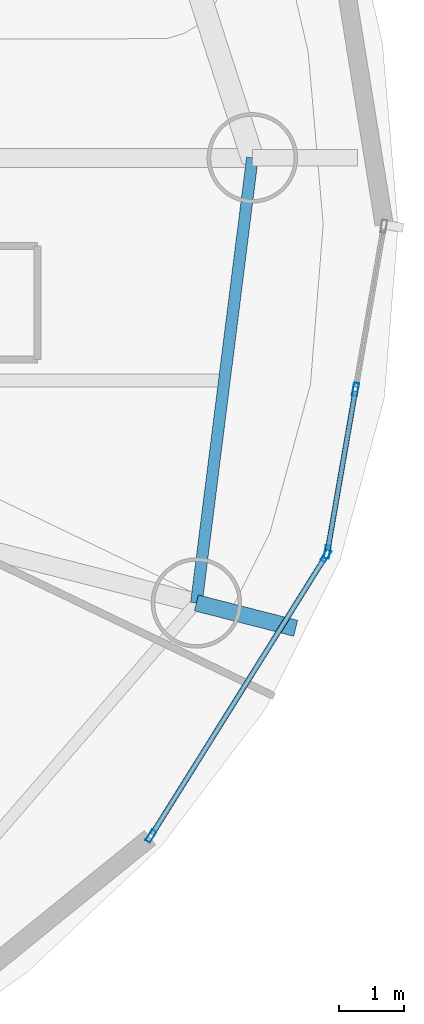
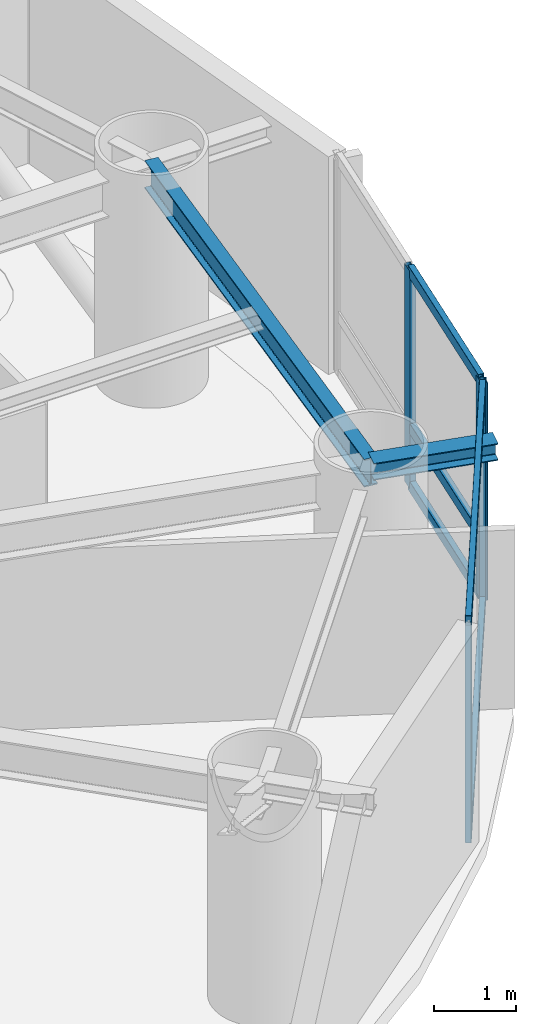
# One storey, part 7 of 22: 9 members, 2 beams, 2 elements without a shape of their own.
"""IFC4 building model written with IfcOpenShell, lengths in metres."""

import ifcopenshell
import ifcopenshell.guid

model = None  # the IFC model being written
_history = None  # IfcOwnerHistory: only IFC2X3 demands one
_inside = {}  # id of a spatial element -> (the spatial element, [elements in it])
_under = {}  # id of a project, library or spatial element -> (it, [spatial elements below it])
_declared = {}  # id of a project -> (the project, [libraries it declares])
_typed = {}  # id of a type object -> (the type object, [elements of that type])
_made_of = {}  # id of a material, layer set ... -> (it, [elements and type objects made of it])


def new_model(schema):
    """Start an empty IFC model of exactly this schema.

    Asked for "IFC4X3", IfcOpenShell would pick the latest addendum, in which some entities
    have other attributes; the version numbers below select the first issue.
    IFC2X3 requires an IfcOwnerHistory on every rooted entity: one is made here for all.
    """
    global model, _history
    if schema == "IFC4X3":
        model = ifcopenshell.file(schema_version=(4, 3, 0, 0))
    else:
        model = ifcopenshell.file(schema=schema)
    _inside.clear()
    _under.clear()
    _declared.clear()
    _typed.clear()
    _made_of.clear()
    _history = None
    if model.schema == "IFC2X3":
        org = make("IfcOrganization", Name="unknown")
        user = make(
            "IfcPersonAndOrganization",
            ThePerson=make("IfcPerson", FamilyName="unknown"),
            TheOrganization=org,
        )
        app = make(
            "IfcApplication",
            ApplicationDeveloper=org,
            Version="unknown",
            ApplicationFullName="unknown",
            ApplicationIdentifier="unknown",
        )
        _history = make(
            "IfcOwnerHistory",
            OwningUser=user,
            OwningApplication=app,
            ChangeAction="ADDED",
            CreationDate=0,
        )
    return model


def make(cls, **values):
    """One entity of the class cls with the attributes given. An attribute that is None is left unset."""
    return model.create_entity(
        cls, **{name: value for name, value in values.items() if value is not None}
    )


def rooted(cls, **values):
    """An entity with a GlobalId (a new one), such as an element, a storey or a relation."""
    return make(cls, GlobalId=ifcopenshell.guid.new(), OwnerHistory=_history, **values)


def si_unit(unit_type, name, prefix=None):
    """IfcSIUnit, for example si_unit("LENGTHUNIT", "METRE", prefix="MILLI")."""
    return make("IfcSIUnit", UnitType=unit_type, Prefix=prefix, Name=name)


def assignment(units):
    """IfcUnitAssignment: the units of a project."""
    return None if units is None else make("IfcUnitAssignment", Units=units)


def point(xyz):
    """IfcCartesianPoint."""
    return None if xyz is None else make("IfcCartesianPoint", Coordinates=xyz)


def direction(xyz):
    """IfcDirection."""
    return None if xyz is None else make("IfcDirection", DirectionRatios=xyz)


def frame(location, z_axis=None, x_axis=None):
    """IfcAxis2Placement3D, a coordinate frame: its origin and axes. An axis left out is left unset."""
    return make(
        "IfcAxis2Placement3D",
        Location=point(location),
        Axis=direction(z_axis),
        RefDirection=direction(x_axis),
    )


def frame_2d(location, x_axis=None):
    """IfcAxis2Placement2D, a coordinate frame in the plane: its origin and x axis."""
    return make(
        "IfcAxis2Placement2D", Location=point(location), RefDirection=direction(x_axis)
    )


def origin():
    """The frame at (0, 0, 0) with its axes left unset."""
    return frame((0.0, 0.0, 0.0))


def origin_2d():
    """The frame at (0, 0) in the plane with its x axis left unset."""
    return frame_2d((0.0, 0.0))


def place(relative_to, where):
    """IfcLocalPlacement: puts the frame where relative to a parent placement (None: the world)."""
    return make(
        "IfcLocalPlacement", PlacementRelTo=relative_to, RelativePlacement=where
    )


def context(
    kind, dimensions, precision=None, world=None, true_north=None, identifier=None
):
    """IfcGeometricRepresentationContext, for example the 3D "Model" context."""
    return make(
        "IfcGeometricRepresentationContext",
        ContextIdentifier=identifier,
        ContextType=kind,
        CoordinateSpaceDimension=dimensions,
        Precision=precision,
        WorldCoordinateSystem=world,
        TrueNorth=true_north,
    )


def subcontext(parent, identifier, kind, view, scale=None):
    """IfcGeometricRepresentationSubContext, for example "Body" below "Model"."""
    return make(
        "IfcGeometricRepresentationSubContext",
        ContextIdentifier=identifier,
        ContextType=kind,
        ParentContext=parent,
        TargetScale=scale,
        TargetView=view,
    )


def project(units=None, contexts=None):
    """IfcProject with its units and contexts."""
    return rooted(
        "IfcProject",
        Name="project",
        RepresentationContexts=contexts,
        UnitsInContext=assignment(units),
    )


def spatial(cls, under=None, at=None, **own):
    """A site, building, storey or space (cls), placed at a placement, below another one or the project."""
    s = rooted(cls, ObjectPlacement=at, **own)
    if under is not None:
        _under.setdefault(under.id(), (under, []))[1].append(s)
    return s


def profile(cls, at=None, kind="AREA", **sizes):
    """A parametric profile (cls). Its sizes go by their IFC names, for example OverallWidth=200.0."""
    return make(cls, ProfileType=kind, Position=at, **sizes)


def hollow_rectangle(**sizes):
    """IfcRectangleHollowProfileDef."""
    return profile("IfcRectangleHollowProfileDef", **sizes)


def i_section(**sizes):
    """IfcIShapeProfileDef."""
    return profile("IfcIShapeProfileDef", **sizes)


def extrude(swept, where, along, depth):
    """IfcExtrudedAreaSolid: the profile swept, set in the frame where, extruded along a direction by depth."""
    return make(
        "IfcExtrudedAreaSolid",
        SweptArea=swept,
        Position=where,
        ExtrudedDirection=direction(along),
        Depth=depth,
    )


def shape(context_of_items, identifier, shape_type, items):
    """IfcShapeRepresentation: the items that make up one representation, for example the "Body"."""
    return make(
        "IfcShapeRepresentation",
        ContextOfItems=context_of_items,
        RepresentationIdentifier=identifier,
        RepresentationType=shape_type,
        Items=items,
    )


def material(Name=None, Category=None):
    """IfcMaterial."""
    return make("IfcMaterial", Name=Name, Category=Category)


def layer(
    of_material, thickness, ventilated=None, Name=None, Category=None, Priority=None
):
    """IfcMaterialLayer: one layer of a wall or slab, of a material (None: an air gap)."""
    return make(
        "IfcMaterialLayer",
        Material=of_material,
        LayerThickness=thickness,
        IsVentilated=ventilated,
        Name=Name,
        Category=Category,
        Priority=Priority,
    )


def layer_set(layers, Name=None):
    """IfcMaterialLayerSet."""
    return make("IfcMaterialLayerSet", MaterialLayers=layers, LayerSetName=Name)


def material_profile(
    of_material, cross_section, Name=None, Category=None, Priority=None
):
    """IfcMaterialProfile: a cross section and its material."""
    return make(
        "IfcMaterialProfile",
        Name=Name,
        Material=of_material,
        Profile=cross_section,
        Priority=Priority,
        Category=Category,
    )


def profile_set(profiles, Name=None, composite=None):
    """IfcMaterialProfileSet."""
    return make(
        "IfcMaterialProfileSet",
        Name=Name,
        MaterialProfiles=profiles,
        CompositeProfile=composite,
    )


def made_of(thing, what):
    """Note that an element or type object is made of a material, layer set ...; save() writes the relation."""
    if what is not None:
        _made_of.setdefault(what.id(), (what, []))[1].append(thing)
    return thing


def type_object(cls, material=None, **own):
    """A type object (cls), such as IfcWallType, which elements share."""
    return made_of(rooted(cls, **own), material)


def element(
    cls,
    number,
    at=None,
    inside=None,
    cuts=None,
    type_object=None,
    material=None,
    context=None,
    identifier="Body",
    shape_type=None,
    held_by="IfcProductDefinitionShape",
    body=None,
    shapes=None,
    **own,
):
    """One element of the class cls, such as IfcWall. Its Tag is "e" and its number.

    at: its placement. inside: the storey or other place that contains it. cuts: it is an
    opening in that element (IfcRelVoidsElement). A single representation is given by context,
    identifier, shape_type and body (its items); several are given by shapes. held_by: the class
    of the entity that holds the representations. save() writes the other relations.
    """
    e = rooted(cls, Tag="e%d" % number, ObjectPlacement=at, **own)
    if body is not None:
        shapes = [shape(context, identifier, shape_type, body)]
    if shapes is not None:
        e.Representation = make(held_by, Representations=shapes)
    if inside is not None:
        _inside.setdefault(inside.id(), (inside, []))[1].append(e)
    if cuts is not None:
        rooted(
            "IfcRelVoidsElement", RelatingBuildingElement=cuts, RelatedOpeningElement=e
        )
    if type_object is not None:
        _typed.setdefault(type_object.id(), (type_object, []))[1].append(e)
    return made_of(e, material)


def aggregate(whole, parts):
    """IfcRelAggregates: a whole, such as a stair, and the parts it consists of."""
    return rooted("IfcRelAggregates", RelatingObject=whole, RelatedObjects=parts)


def save(model, path):
    """Write the relations noted so far, then the file.

    IfcRelAggregates (storeys below a building ...), IfcRelContainedInSpatialStructure (elements
    in a storey), IfcRelDefinesByType, IfcRelAssociatesMaterial and IfcRelDeclares: one each for
    every whole, place, type object, material and project.
    """
    for whole, parts in _under.values():
        aggregate(whole, parts)
    for where, things in _inside.values():
        rooted(
            "IfcRelContainedInSpatialStructure",
            RelatedElements=things,
            RelatingStructure=where,
        )
    for kind, things in _typed.values():
        rooted("IfcRelDefinesByType", RelatedObjects=things, RelatingType=kind)
    for what, things in _made_of.values():
        rooted("IfcRelAssociatesMaterial", RelatedObjects=things, RelatingMaterial=what)
    for by, libraries in _declared.values():
        rooted("IfcRelDeclares", RelatingContext=by, RelatedDefinitions=libraries)
    model.write(path)


model = new_model("IFC4")

# Units and contexts
model_context = context("Model", 3, precision=1e-05, world=origin(), true_north=direction((0.0, 1.0)))
body_context = subcontext(model_context, "Body", "Model", "MODEL_VIEW")
ifc_project = project(units=[si_unit("LENGTHUNIT", "METRE"), si_unit("AREAUNIT", "SQUARE_METRE"), si_unit("VOLUMEUNIT", "CUBIC_METRE"), si_unit("PLANEANGLEUNIT", "RADIAN"), si_unit("MASSUNIT", "GRAM", prefix="KILO")], contexts=[model_context])

# Site, building, storey
site_placement = place(None, origin())
site = spatial("IfcSite", under=ifc_project, at=site_placement, CompositionType="ELEMENT")
building_placement = place(site_placement, origin())
building = spatial("IfcBuilding", under=site, at=building_placement, Name="Bramvorn Convention Spire", CompositionType="ELEMENT")
storey_placement = place(building_placement, frame((0.0, 0.0, 116.800048828125)))
storey = spatial("IfcBuildingStorey", under=building, at=storey_placement, Name="L28", CompositionType="ELEMENT", Elevation=116.800048828125)

# Beams
ifc_material_1 = material(Name="Steel CSA G40.21 Grade 350 (350W)", Category="steel")
ifc_material_profile_1 = material_profile(ifc_material_1, i_section(OverallWidth=0.25390625, OverallDepth=0.2529296875, WebThickness=0.008544921875, FlangeThickness=0.01416015625, FilletRadius=0.011962890625, at=origin_2d()))
ifc_profile_set_1 = profile_set([ifc_material_profile_1], Name="Steel CSA G40.21 Grade 350 (350W) - W250X73")
beam_type_1 = type_object("IfcBeamType", Name="BM-W250X73", PredefinedType="BEAM", material=ifc_profile_set_1)
beam_1_placement = place(storey_placement, frame((62.11767578125, 15.26220703125, 3.133544921875), z_axis=(0.968861144167, -0.247604691643, 0.0), x_axis=(0.247604691643, 0.968861144167, 0.0)))
element("IfcBeam", 1, at=beam_1_placement, inside=storey, type_object=beam_type_1, Name="L28 slab-edge cantilever tip beam MC01", PredefinedType="BEAM", context=body_context, shape_type="SweptSolid", body=[
    extrude(i_section(OverallWidth=0.25390625, OverallDepth=0.2529296875, WebThickness=0.008544921875, FlangeThickness=0.01416015625, FilletRadius=0.011962890625, at=origin_2d()), origin(), (0.0, 0.0, 1.0), 1.58544921875),
])
ifc_material_profile_2 = material_profile(ifc_material_1, i_section(OverallWidth=0.180908203125, OverallDepth=0.4169921875, WebThickness=0.010986328125, FlangeThickness=0.018310546875, FilletRadius=0.01611328125, at=origin_2d()))
ifc_profile_set_2 = profile_set([ifc_material_profile_2], Name="Steel CSA G40.21 Grade 350 (350W) - W410X85")
beam_type_2 = type_object("IfcBeamType", Name="BM-W410X85", PredefinedType="JOIST", material=ifc_profile_set_2)
beam_2_placement = place(storey_placement, frame((62.11767578125, 15.26220703125, 3.051513671875), z_axis=(0.124775053879, 0.992185056292, 0.0), x_axis=(-0.992185056292, 0.124775053879, 0.0)))
element("IfcBeam", 2, at=beam_2_placement, inside=storey, type_object=beam_type_2, Name="L28 mega-column ring beam 01", PredefinedType="JOIST", context=body_context, shape_type="SweptSolid", body=[
    extrude(i_section(OverallWidth=0.180908203125, OverallDepth=0.4169921875, WebThickness=0.010986328125, FlangeThickness=0.018310546875, FilletRadius=0.01611328125, at=origin_2d()), origin(), (0.0, 0.0, 1.0), 6.940185546875),
])

# Curtain wall, members
ifc_material_2 = material(Name="Anodised Bronze Unitised Curtain Wall", Category="aluminium")
ifc_layer = layer(ifc_material_2, 0.179931640625)
ifc_layer_set = layer_set([ifc_layer], Name="Anodised Bronze Unitised Curtain Wall - CW-HTL-FRIT")
curtain_wall_type = type_object("IfcCurtainWallType", Name="CW-HTL-FRIT", PredefinedType="USERDEFINED", material=ifc_layer_set)
curtain_wall_1_placement = place(storey_placement, origin())
curtain_wall_1 = element("IfcCurtainWall", 3, at=curtain_wall_1_placement, inside=storey, type_object=curtain_wall_type, Name="L28 fritted glass curtain wall 01", ObjectType="UNITISED CURTAIN WALL", PredefinedType="USERDEFINED")
ifc_material_3 = material(Name="Anodised Bronze Aluminium 6063-T6", Category="aluminium")
ifc_material_profile_3 = material_profile(ifc_material_3, hollow_rectangle(XDim=0.080078125, YDim=0.199951171875, WallThickness=0.00390625, InnerFilletRadius=0.0009765625, OuterFilletRadius=0.00390625, at=origin_2d()))
ifc_profile_set_3 = profile_set([ifc_material_profile_3], Name="Anodised Bronze Aluminium 6063-T6 - CWM80X200")
member_type_1 = type_object("IfcMemberType", Name="CW-MUL-180", PredefinedType="MULLION", material=ifc_profile_set_3)
member_1_placement = place(storey_placement, frame((64.580322265625, 18.56787109375, 0.0), z_axis=(0.0, 0.0, 1.0), x_axis=(0.985341823442, -0.170591591163, 0.0)))
member_1 = element("IfcMember", 4, at=member_1_placement, type_object=member_type_1, Name="CW2 mullion 2", PredefinedType="MULLION", context=body_context, shape_type="SweptSolid", body=[
    extrude(hollow_rectangle(XDim=0.080078125, YDim=0.199951171875, WallThickness=0.00390625, InnerFilletRadius=0.0009765625, OuterFilletRadius=0.00390625, at=origin_2d()), origin(), (0.0, 0.0, 1.0), 3.260009765625),
])
member_2_placement = place(storey_placement, frame((64.14404296875, 16.048095703125, 0.0), z_axis=(0.0, 0.0, 1.0), x_axis=(0.985341823442, -0.170591591163, 0.0)))
member_2 = element("IfcMember", 5, at=member_2_placement, type_object=member_type_1, Name="CW2 mullion 3", PredefinedType="MULLION", context=body_context, shape_type="SweptSolid", body=[
    extrude(hollow_rectangle(XDim=0.080078125, YDim=0.199951171875, WallThickness=0.00390625, InnerFilletRadius=0.0009765625, OuterFilletRadius=0.00390625, at=origin_2d()), origin(), (0.0, 0.0, 1.0), 3.260009765625),
])

curtain_wall_2_placement = place(storey_placement, origin())
curtain_wall_2 = element("IfcCurtainWall", 6, at=curtain_wall_2_placement, inside=storey, type_object=curtain_wall_type, Name="L28 fritted glass curtain wall 24", ObjectType="UNITISED CURTAIN WALL", PredefinedType="USERDEFINED")
member_3_placement = place(storey_placement, frame((64.123046875, 15.9931640625, 0.0), z_axis=(0.0, 0.0, 1.0), x_axis=(0.848249016174, -0.52959758927, 0.0)))
member_3 = element("IfcMember", 7, at=member_3_placement, type_object=member_type_1, Name="CW2 mullion 1", PredefinedType="MULLION", context=body_context, shape_type="SweptSolid", body=[
    extrude(hollow_rectangle(XDim=0.080078125, YDim=0.199951171875, WallThickness=0.00390625, InnerFilletRadius=0.0009765625, OuterFilletRadius=0.00390625, at=origin_2d()), origin(), (0.0, 0.0, 1.0), 3.260009765625),
])
member_4_placement = place(storey_placement, frame((61.41455078125, 11.65478515625, 0.0), z_axis=(0.0, 0.0, 1.0), x_axis=(0.848249016174, -0.52959758927, 0.0)))
member_4 = element("IfcMember", 8, at=member_4_placement, type_object=member_type_1, Name="CW2 mullion 2", PredefinedType="MULLION", context=body_context, shape_type="SweptSolid", body=[
    extrude(hollow_rectangle(XDim=0.080078125, YDim=0.199951171875, WallThickness=0.00390625, InnerFilletRadius=0.0009765625, OuterFilletRadius=0.00390625, at=origin_2d()), origin(), (0.0, 0.0, 1.0), 3.260009765625),
])

# Member
ifc_material_profile_4 = material_profile(ifc_material_3, hollow_rectangle(XDim=0.080078125, YDim=0.159912109375, WallThickness=0.00390625, InnerFilletRadius=0.0009765625, OuterFilletRadius=0.00390625, at=origin_2d()))
ifc_profile_set_4 = profile_set([ifc_material_profile_4], Name="Anodised Bronze Aluminium 6063-T6 - CWT80X160")
member_type_2 = type_object("IfcMemberType", Name="CW-TRN-150", PredefinedType="USERDEFINED", material=ifc_profile_set_4)
member_5_placement = place(storey_placement, frame((64.5751953125, 18.5380859375, 0.030029296875), z_axis=(-0.170610803466, -0.985338497036, 0.0), x_axis=(0.985338497036, -0.170610803466, 0.0)))
member_5 = element("IfcMember", 9, at=member_5_placement, type_object=member_type_2, Name="CW2 transom 2.1", ObjectType="TRANSOM", PredefinedType="USERDEFINED", context=body_context, shape_type="SweptSolid", body=[
    extrude(hollow_rectangle(XDim=0.080078125, YDim=0.159912109375, WallThickness=0.00390625, InnerFilletRadius=0.0009765625, OuterFilletRadius=0.00390625, at=origin_2d()), origin(), (0.0, 0.0, 1.0), 2.4970703125),
])

member_6_placement = place(storey_placement, frame((64.5751953125, 18.5380859375, 0.89990234375), z_axis=(-0.170610803466, -0.985338497036, 0.0), x_axis=(0.985338497036, -0.170610803466, 0.0)))
member_6 = element("IfcMember", 10, at=member_6_placement, type_object=member_type_2, Name="CW2 transom 2.2", ObjectType="TRANSOM", PredefinedType="USERDEFINED", context=body_context, shape_type="SweptSolid", body=[
    extrude(hollow_rectangle(XDim=0.080078125, YDim=0.159912109375, WallThickness=0.00390625, InnerFilletRadius=0.0009765625, OuterFilletRadius=0.00390625, at=origin_2d()), origin(), (0.0, 0.0, 1.0), 2.4970703125),
])

member_7_placement = place(storey_placement, frame((64.5751953125, 18.5380859375, 3.22998046875), z_axis=(-0.170610803466, -0.985338497036, 0.0), x_axis=(0.985338497036, -0.170610803466, 0.0)))
member_7 = element("IfcMember", 11, at=member_7_placement, type_object=member_type_2, Name="CW2 transom 2.3", ObjectType="TRANSOM", PredefinedType="USERDEFINED", context=body_context, shape_type="SweptSolid", body=[
    extrude(hollow_rectangle(XDim=0.080078125, YDim=0.159912109375, WallThickness=0.00390625, InnerFilletRadius=0.0009765625, OuterFilletRadius=0.00390625, at=origin_2d()), origin(), (0.0, 0.0, 1.0), 2.4970703125),
])

aggregate(curtain_wall_1, [member_1, member_2, member_5, member_6, member_7])

member_8_placement = place(storey_placement, frame((64.107177734375, 15.967529296875, 0.030029296875), z_axis=(-0.529595087788, -0.848250577949, 0.0), x_axis=(0.848250577949, -0.529595087788, 0.0)))
member_8 = element("IfcMember", 12, at=member_8_placement, type_object=member_type_2, Name="CW2 transom 1.1", ObjectType="TRANSOM", PredefinedType="USERDEFINED", context=body_context, shape_type="SweptSolid", body=[
    extrude(hollow_rectangle(XDim=0.080078125, YDim=0.159912109375, WallThickness=0.00390625, InnerFilletRadius=0.0009765625, OuterFilletRadius=0.00390625, at=origin_2d()), origin(), (0.0, 0.0, 1.0), 5.054443359375),
])

member_9_placement = place(storey_placement, frame((64.107177734375, 15.967529296875, 3.22998046875), z_axis=(-0.529595087788, -0.848250577949, 0.0), x_axis=(0.848250577949, -0.529595087788, 0.0)))
member_9 = element("IfcMember", 13, at=member_9_placement, type_object=member_type_2, Name="CW2 transom 1.2", ObjectType="TRANSOM", PredefinedType="USERDEFINED", context=body_context, shape_type="SweptSolid", body=[
    extrude(hollow_rectangle(XDim=0.080078125, YDim=0.159912109375, WallThickness=0.00390625, InnerFilletRadius=0.0009765625, OuterFilletRadius=0.00390625, at=origin_2d()), origin(), (0.0, 0.0, 1.0), 5.054443359375),
])

aggregate(curtain_wall_2, [member_3, member_4, member_8, member_9])

save(model, "model.ifc")
